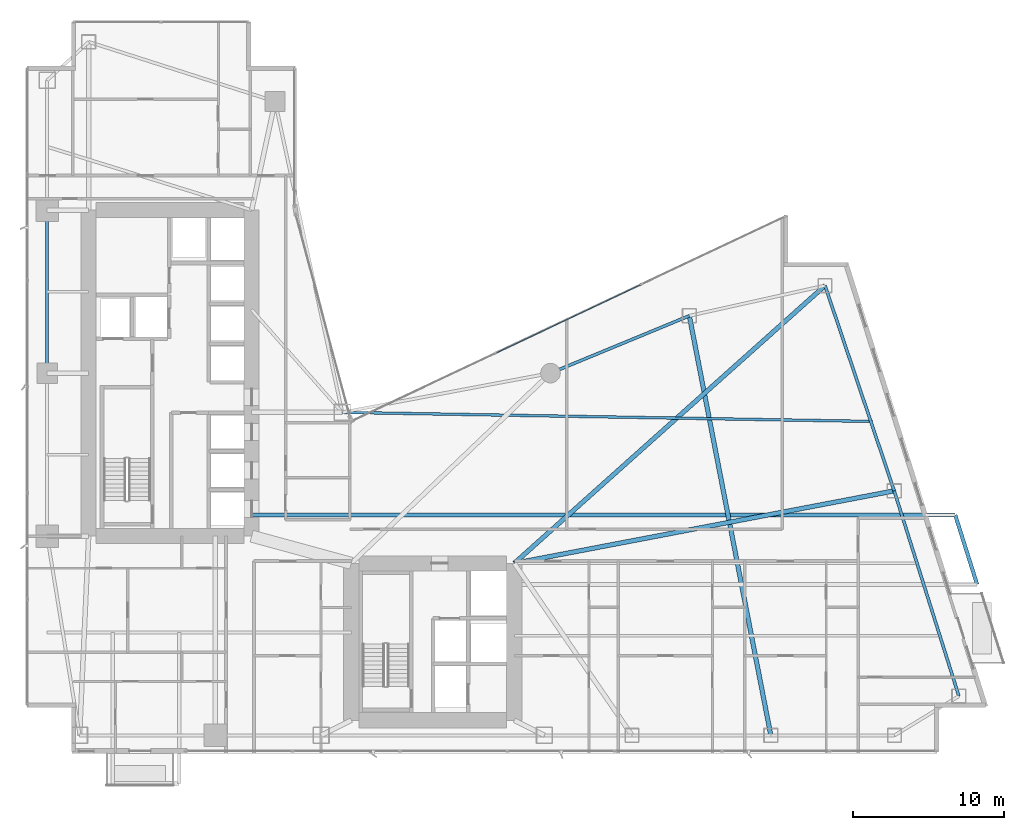
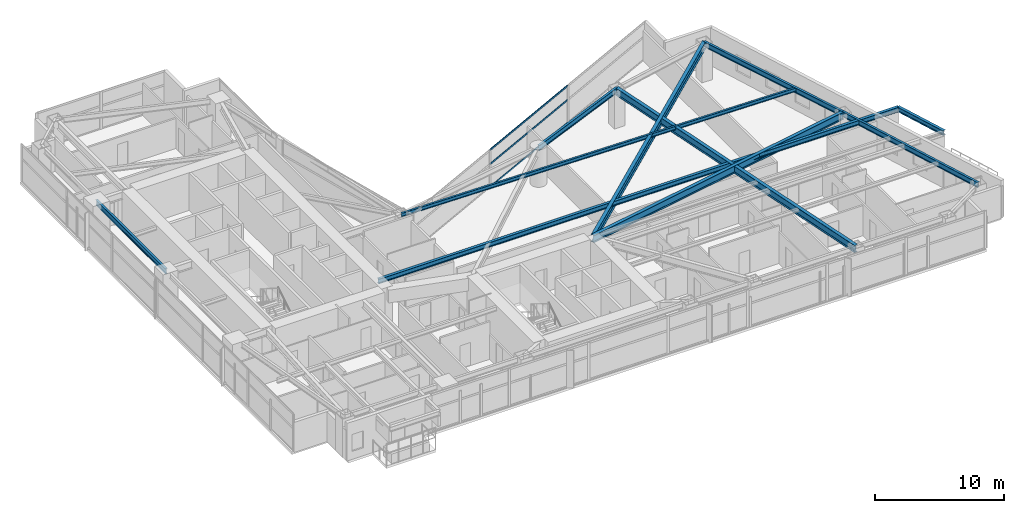
# One storey, part 15 of 30: 10 beams, 3 members, 1 element without a shape of its own.
"""IFC4 building model written with IfcOpenShell, lengths in metres."""

import ifcopenshell
import ifcopenshell.guid

model = None  # the IFC model being written
_history = None  # IfcOwnerHistory: only IFC2X3 demands one
_inside = {}  # id of a spatial element -> (the spatial element, [elements in it])
_under = {}  # id of a project, library or spatial element -> (it, [spatial elements below it])
_declared = {}  # id of a project -> (the project, [libraries it declares])
_typed = {}  # id of a type object -> (the type object, [elements of that type])
_made_of = {}  # id of a material, layer set ... -> (it, [elements and type objects made of it])


def new_model(schema):
    """Start an empty IFC model of exactly this schema.

    Asked for "IFC4X3", IfcOpenShell would pick the latest addendum, in which some entities
    have other attributes; the version numbers below select the first issue.
    IFC2X3 requires an IfcOwnerHistory on every rooted entity: one is made here for all.
    """
    global model, _history
    if schema == "IFC4X3":
        model = ifcopenshell.file(schema_version=(4, 3, 0, 0))
    else:
        model = ifcopenshell.file(schema=schema)
    _inside.clear()
    _under.clear()
    _declared.clear()
    _typed.clear()
    _made_of.clear()
    _history = None
    if model.schema == "IFC2X3":
        org = make("IfcOrganization", Name="unknown")
        user = make(
            "IfcPersonAndOrganization",
            ThePerson=make("IfcPerson", FamilyName="unknown"),
            TheOrganization=org,
        )
        app = make(
            "IfcApplication",
            ApplicationDeveloper=org,
            Version="unknown",
            ApplicationFullName="unknown",
            ApplicationIdentifier="unknown",
        )
        _history = make(
            "IfcOwnerHistory",
            OwningUser=user,
            OwningApplication=app,
            ChangeAction="ADDED",
            CreationDate=0,
        )
    return model


def make(cls, **values):
    """One entity of the class cls with the attributes given. An attribute that is None is left unset."""
    return model.create_entity(
        cls, **{name: value for name, value in values.items() if value is not None}
    )


def rooted(cls, **values):
    """An entity with a GlobalId (a new one), such as an element, a storey or a relation."""
    return make(cls, GlobalId=ifcopenshell.guid.new(), OwnerHistory=_history, **values)


def si_unit(unit_type, name, prefix=None):
    """IfcSIUnit, for example si_unit("LENGTHUNIT", "METRE", prefix="MILLI")."""
    return make("IfcSIUnit", UnitType=unit_type, Prefix=prefix, Name=name)


def assignment(units):
    """IfcUnitAssignment: the units of a project."""
    return None if units is None else make("IfcUnitAssignment", Units=units)


def point(xyz):
    """IfcCartesianPoint."""
    return None if xyz is None else make("IfcCartesianPoint", Coordinates=xyz)


def direction(xyz):
    """IfcDirection."""
    return None if xyz is None else make("IfcDirection", DirectionRatios=xyz)


def frame(location, z_axis=None, x_axis=None):
    """IfcAxis2Placement3D, a coordinate frame: its origin and axes. An axis left out is left unset."""
    return make(
        "IfcAxis2Placement3D",
        Location=point(location),
        Axis=direction(z_axis),
        RefDirection=direction(x_axis),
    )


def frame_2d(location, x_axis=None):
    """IfcAxis2Placement2D, a coordinate frame in the plane: its origin and x axis."""
    return make(
        "IfcAxis2Placement2D", Location=point(location), RefDirection=direction(x_axis)
    )


def origin():
    """The frame at (0, 0, 0) with its axes left unset."""
    return frame((0.0, 0.0, 0.0))


def origin_2d():
    """The frame at (0, 0) in the plane with its x axis left unset."""
    return frame_2d((0.0, 0.0))


def place(relative_to, where):
    """IfcLocalPlacement: puts the frame where relative to a parent placement (None: the world)."""
    return make(
        "IfcLocalPlacement", PlacementRelTo=relative_to, RelativePlacement=where
    )


def context(
    kind, dimensions, precision=None, world=None, true_north=None, identifier=None
):
    """IfcGeometricRepresentationContext, for example the 3D "Model" context."""
    return make(
        "IfcGeometricRepresentationContext",
        ContextIdentifier=identifier,
        ContextType=kind,
        CoordinateSpaceDimension=dimensions,
        Precision=precision,
        WorldCoordinateSystem=world,
        TrueNorth=true_north,
    )


def subcontext(parent, identifier, kind, view, scale=None):
    """IfcGeometricRepresentationSubContext, for example "Body" below "Model"."""
    return make(
        "IfcGeometricRepresentationSubContext",
        ContextIdentifier=identifier,
        ContextType=kind,
        ParentContext=parent,
        TargetScale=scale,
        TargetView=view,
    )


def project(units=None, contexts=None):
    """IfcProject with its units and contexts."""
    return rooted(
        "IfcProject",
        Name="project",
        RepresentationContexts=contexts,
        UnitsInContext=assignment(units),
    )


def spatial(cls, under=None, at=None, **own):
    """A site, building, storey or space (cls), placed at a placement, below another one or the project."""
    s = rooted(cls, ObjectPlacement=at, **own)
    if under is not None:
        _under.setdefault(under.id(), (under, []))[1].append(s)
    return s


def profile(cls, at=None, kind="AREA", **sizes):
    """A parametric profile (cls). Its sizes go by their IFC names, for example OverallWidth=200.0."""
    return make(cls, ProfileType=kind, Position=at, **sizes)


def hollow_rectangle(**sizes):
    """IfcRectangleHollowProfileDef."""
    return profile("IfcRectangleHollowProfileDef", **sizes)


def i_section(**sizes):
    """IfcIShapeProfileDef."""
    return profile("IfcIShapeProfileDef", **sizes)


def extrude(swept, where, along, depth):
    """IfcExtrudedAreaSolid: the profile swept, set in the frame where, extruded along a direction by depth."""
    return make(
        "IfcExtrudedAreaSolid",
        SweptArea=swept,
        Position=where,
        ExtrudedDirection=direction(along),
        Depth=depth,
    )


def shape(context_of_items, identifier, shape_type, items):
    """IfcShapeRepresentation: the items that make up one representation, for example the "Body"."""
    return make(
        "IfcShapeRepresentation",
        ContextOfItems=context_of_items,
        RepresentationIdentifier=identifier,
        RepresentationType=shape_type,
        Items=items,
    )


def material(Name=None, Category=None):
    """IfcMaterial."""
    return make("IfcMaterial", Name=Name, Category=Category)


def layer(
    of_material, thickness, ventilated=None, Name=None, Category=None, Priority=None
):
    """IfcMaterialLayer: one layer of a wall or slab, of a material (None: an air gap)."""
    return make(
        "IfcMaterialLayer",
        Material=of_material,
        LayerThickness=thickness,
        IsVentilated=ventilated,
        Name=Name,
        Category=Category,
        Priority=Priority,
    )


def layer_set(layers, Name=None):
    """IfcMaterialLayerSet."""
    return make("IfcMaterialLayerSet", MaterialLayers=layers, LayerSetName=Name)


def material_profile(
    of_material, cross_section, Name=None, Category=None, Priority=None
):
    """IfcMaterialProfile: a cross section and its material."""
    return make(
        "IfcMaterialProfile",
        Name=Name,
        Material=of_material,
        Profile=cross_section,
        Priority=Priority,
        Category=Category,
    )


def profile_set(profiles, Name=None, composite=None):
    """IfcMaterialProfileSet."""
    return make(
        "IfcMaterialProfileSet",
        Name=Name,
        MaterialProfiles=profiles,
        CompositeProfile=composite,
    )


def made_of(thing, what):
    """Note that an element or type object is made of a material, layer set ...; save() writes the relation."""
    if what is not None:
        _made_of.setdefault(what.id(), (what, []))[1].append(thing)
    return thing


def type_object(cls, material=None, **own):
    """A type object (cls), such as IfcWallType, which elements share."""
    return made_of(rooted(cls, **own), material)


def element(
    cls,
    number,
    at=None,
    inside=None,
    cuts=None,
    type_object=None,
    material=None,
    context=None,
    identifier="Body",
    shape_type=None,
    held_by="IfcProductDefinitionShape",
    body=None,
    shapes=None,
    **own,
):
    """One element of the class cls, such as IfcWall. Its Tag is "e" and its number.

    at: its placement. inside: the storey or other place that contains it. cuts: it is an
    opening in that element (IfcRelVoidsElement). A single representation is given by context,
    identifier, shape_type and body (its items); several are given by shapes. held_by: the class
    of the entity that holds the representations. save() writes the other relations.
    """
    e = rooted(cls, Tag="e%d" % number, ObjectPlacement=at, **own)
    if body is not None:
        shapes = [shape(context, identifier, shape_type, body)]
    if shapes is not None:
        e.Representation = make(held_by, Representations=shapes)
    if inside is not None:
        _inside.setdefault(inside.id(), (inside, []))[1].append(e)
    if cuts is not None:
        rooted(
            "IfcRelVoidsElement", RelatingBuildingElement=cuts, RelatedOpeningElement=e
        )
    if type_object is not None:
        _typed.setdefault(type_object.id(), (type_object, []))[1].append(e)
    return made_of(e, material)


def aggregate(whole, parts):
    """IfcRelAggregates: a whole, such as a stair, and the parts it consists of."""
    return rooted("IfcRelAggregates", RelatingObject=whole, RelatedObjects=parts)


def save(model, path):
    """Write the relations noted so far, then the file.

    IfcRelAggregates (storeys below a building ...), IfcRelContainedInSpatialStructure (elements
    in a storey), IfcRelDefinesByType, IfcRelAssociatesMaterial and IfcRelDeclares: one each for
    every whole, place, type object, material and project.
    """
    for whole, parts in _under.values():
        aggregate(whole, parts)
    for where, things in _inside.values():
        rooted(
            "IfcRelContainedInSpatialStructure",
            RelatedElements=things,
            RelatingStructure=where,
        )
    for kind, things in _typed.values():
        rooted("IfcRelDefinesByType", RelatedObjects=things, RelatingType=kind)
    for what, things in _made_of.values():
        rooted("IfcRelAssociatesMaterial", RelatedObjects=things, RelatingMaterial=what)
    for by, libraries in _declared.values():
        rooted("IfcRelDeclares", RelatingContext=by, RelatedDefinitions=libraries)
    model.write(path)


model = new_model("IFC4")

# Units and contexts
model_context = context("Model", 3, precision=1e-05, world=origin(), true_north=direction((0.0, 1.0)))
body_context = subcontext(model_context, "Body", "Model", "MODEL_VIEW")
ifc_project = project(units=[si_unit("LENGTHUNIT", "METRE"), si_unit("AREAUNIT", "SQUARE_METRE"), si_unit("VOLUMEUNIT", "CUBIC_METRE"), si_unit("PLANEANGLEUNIT", "RADIAN"), si_unit("MASSUNIT", "GRAM", prefix="KILO")], contexts=[model_context])

# Site, building, storey
site_placement = place(None, origin())
site = spatial("IfcSite", under=ifc_project, at=site_placement, CompositionType="ELEMENT")
building_placement = place(site_placement, origin())
building = spatial("IfcBuilding", under=site, at=building_placement, Name="Calvorn Quay Hotel", CompositionType="ELEMENT")
storey_placement = place(building_placement, frame((0.0, 0.0, 30.800048828125)))
storey = spatial("IfcBuildingStorey", under=building, at=storey_placement, Name="L06", CompositionType="ELEMENT", Elevation=30.800048828125)

# Beams
ifc_material_1 = material(Name="Steel Q355B", Category="steel")
ifc_material_profile_1 = material_profile(ifc_material_1, i_section(OverallWidth=0.25, OverallDepth=0.449951171875, WebThickness=0.011962890625, FlangeThickness=0.01611328125, FilletRadius=0.01611328125, at=origin_2d()), Name="HN450x250x12x16")
ifc_profile_set_1 = profile_set([ifc_material_profile_1], Name="Steel Q355B")
beam_type_1 = type_object("IfcBeamType", Name="BM-CANT-BALC", PredefinedType="BEAM", material=ifc_profile_set_1)
beam_1_placement = place(storey_placement, frame((15.0, 18.199951171875, 3.31494140625), z_axis=(1.0, 0.0, 0.0), x_axis=(0.0, 1.0, 0.0)))
element("IfcBeam", 1, at=beam_1_placement, inside=storey, type_object=beam_type_1, Name="Cantilever Balcony Beam BCB-L07-1B", PredefinedType="BEAM", context=body_context, shape_type="SweptSolid", body=[
    extrude(i_section(OverallWidth=0.25, OverallDepth=0.449951171875, WebThickness=0.011962890625, FlangeThickness=0.01611328125, FilletRadius=0.01611328125, at=origin_2d()), origin(), (0.0, 0.0, 1.0), 46.6201171875),
])
beam_2_placement = place(storey_placement, frame((63.069091796875, 13.60009765625, 3.31494140625), z_axis=(-0.300450487966, 0.953797412599, 0.0), x_axis=(-0.953797412599, -0.300450487966, 0.0)))
element("IfcBeam", 2, at=beam_2_placement, inside=storey, type_object=beam_type_1, Name="Beam BCBO-L07-1", PredefinedType="BEAM", context=body_context, shape_type="SweptSolid", body=[
    extrude(i_section(OverallWidth=0.25, OverallDepth=0.449951171875, WebThickness=0.011962890625, FlangeThickness=0.01611328125, FilletRadius=0.01611328125, at=origin_2d()), origin(), (0.0, 0.0, 1.0), 4.82275390625),
])
ifc_material_2 = material(Name="Steel Q390GJC", Category="steel")
ifc_material_profile_2 = material_profile(ifc_material_2, i_section(OverallWidth=0.300048828125, OverallDepth=0.699951171875, WebThickness=0.012939453125, FlangeThickness=0.02392578125, FilletRadius=0.02392578125, at=origin_2d()), Name="HN700x300x13x24")
ifc_profile_set_2 = profile_set([ifc_material_profile_2], Name="Steel Q390GJC")
beam_type_2 = type_object("IfcBeamType", Name="BM-GIRD-MAIN", PredefinedType="BEAM", material=ifc_profile_set_2)
beam_3_placement = place(storey_placement, frame((32.39990234375, 15.0, 3.18994140625), z_axis=(0.982305450614, 0.18728588226, 0.0), x_axis=(-0.18728588226, 0.982305450614, 0.0)))
element("IfcBeam", 3, at=beam_3_placement, inside=storey, type_object=beam_type_2, Name="Beam BG-L06-E2", PredefinedType="BEAM", context=body_context, shape_type="SweptSolid", body=[
    extrude(i_section(OverallWidth=0.300048828125, OverallDepth=0.699951171875, WebThickness=0.012939453125, FlangeThickness=0.02392578125, FilletRadius=0.02392578125, at=origin_2d()), origin(), (0.0, 0.0, 1.0), 25.629638671875),
])
beam_4_placement = place(storey_placement, frame((32.39990234375, 15.0, 3.18994140625), z_axis=(0.745667316004, 0.666318432766, 0.0), x_axis=(-0.666318432766, 0.745667316004, 0.0)))
element("IfcBeam", 4, at=beam_4_placement, inside=storey, type_object=beam_type_2, Name="Beam BG-L06-E3", PredefinedType="BEAM", context=body_context, shape_type="SweptSolid", body=[
    extrude(i_section(OverallWidth=0.300048828125, OverallDepth=0.699951171875, WebThickness=0.012939453125, FlangeThickness=0.02392578125, FilletRadius=0.02392578125, at=origin_2d()), origin(), (0.0, 0.0, 1.0), 27.6142578125),
])
beam_5_placement = place(storey_placement, frame((49.39990234375, 3.60009765625, 3.18994140625), z_axis=(-0.190678596862, 0.981652521363, 0.0), x_axis=(-0.981652521363, -0.190678596862, 0.0)))
element("IfcBeam", 5, at=beam_5_placement, inside=storey, type_object=beam_type_2, Name="Beam BG-L06-E5", PredefinedType="BEAM", context=body_context, shape_type="SweptSolid", body=[
    extrude(i_section(OverallWidth=0.300048828125, OverallDepth=0.699951171875, WebThickness=0.012939453125, FlangeThickness=0.02392578125, FilletRadius=0.02392578125, at=origin_2d()), origin(), (0.0, 0.0, 1.0), 28.3193359375),
])
ifc_material_3 = material(Name="Steel Q355B", Category="steel")
ifc_material_profile_3 = material_profile(ifc_material_3, i_section(OverallWidth=0.175048828125, OverallDepth=0.35009765625, WebThickness=0.007080078125, FlangeThickness=0.010986328125, FilletRadius=0.013916015625, at=origin_2d()), Name="HN350x175x7x11")
ifc_profile_set_3 = profile_set([ifc_material_profile_3], Name="Steel Q355B")
beam_type_3 = type_object("IfcBeamType", Name="BM-JOIST-SEC", PredefinedType="JOIST", material=ifc_profile_set_3)
beam_6_placement = place(storey_placement, frame((21.0, 25.0, 3.364990234375), z_axis=(0.999854105858, -0.017081188436, 0.0), x_axis=(0.017081188436, 0.999854105858, 0.0)))
element("IfcBeam", 6, at=beam_6_placement, inside=storey, type_object=beam_type_3, Name="Beam BJ-L06-E3", PredefinedType="JOIST", context=body_context, shape_type="SweptSolid", body=[
    extrude(i_section(OverallWidth=0.175048828125, OverallDepth=0.35009765625, WebThickness=0.007080078125, FlangeThickness=0.010986328125, FilletRadius=0.013916015625, at=origin_2d()), origin(), (0.0, 0.0, 1.0), 35.132080078125),
])
ifc_material_4 = material(Name="Steel Q355B", Category="steel")
ifc_material_profile_4 = material_profile(ifc_material_4, i_section(OverallWidth=0.199951171875, OverallDepth=0.5, WebThickness=0.010009765625, FlangeThickness=0.01611328125, FilletRadius=0.01611328125, at=origin_2d()), Name="HN500x200x10x16")
ifc_profile_set_4 = profile_set([ifc_material_profile_4], Name="Steel Q355B")
beam_type_4 = type_object("IfcBeamType", Name="BM-SPANDREL-Z1", PredefinedType="SPANDREL", material=ifc_profile_set_4)
beam_7_placement = place(storey_placement, frame((1.449951171875, 27.60009765625, 3.2900390625), z_axis=(0.0, 1.0, 0.0), x_axis=(-1.0, 0.0, 0.0)))
element("IfcBeam", 7, at=beam_7_placement, inside=storey, type_object=beam_type_4, Name="Beam BSP-L06-W3", PredefinedType="SPANDREL", context=body_context, shape_type="SweptSolid", body=[
    extrude(i_section(OverallWidth=0.199951171875, OverallDepth=0.5, WebThickness=0.010009765625, FlangeThickness=0.01611328125, FilletRadius=0.01611328125, at=origin_2d()), origin(), (0.0, 0.0, 1.0), 10.7998046875),
])
beam_8_placement = place(storey_placement, frame((61.861083984375, 6.199951171875, 3.2900390625), z_axis=(-0.300518378216, 0.953776024208, 0.0), x_axis=(-0.953776024208, -0.300518378216, 0.0)))
element("IfcBeam", 8, at=beam_8_placement, inside=storey, type_object=beam_type_4, Name="Beam BSP-L06-E1", PredefinedType="SPANDREL", context=body_context, shape_type="SweptSolid", body=[
    extrude(i_section(OverallWidth=0.199951171875, OverallDepth=0.5, WebThickness=0.010009765625, FlangeThickness=0.01611328125, FilletRadius=0.01611328125, at=origin_2d()), origin(), (0.0, 0.0, 1.0), 14.25927734375),
])
beam_9_placement = place(storey_placement, frame((57.575927734375, 19.800048828125, 3.2900390625), z_axis=(-0.319466515944, 0.947597564998, 0.0), x_axis=(-0.947597564998, -0.319466515944, 0.0)))
element("IfcBeam", 9, at=beam_9_placement, inside=storey, type_object=beam_type_4, Name="Beam BSP-L06-E2", PredefinedType="SPANDREL", context=body_context, shape_type="SweptSolid", body=[
    extrude(i_section(OverallWidth=0.199951171875, OverallDepth=0.5, WebThickness=0.010009765625, FlangeThickness=0.01611328125, FilletRadius=0.01611328125, at=origin_2d()), origin(), (0.0, 0.0, 1.0), 14.35205078125),
])
beam_10_placement = place(storey_placement, frame((44.0, 31.39990234375, 3.2900390625), z_axis=(-0.92426763497, -0.381745123017, 0.0), x_axis=(0.381745123017, -0.92426763497, 0.0)))
element("IfcBeam", 10, at=beam_10_placement, inside=storey, type_object=beam_type_4, Name="Beam BSP-L06-E4", PredefinedType="SPANDREL", context=body_context, shape_type="SweptSolid", body=[
    extrude(i_section(OverallWidth=0.199951171875, OverallDepth=0.5, WebThickness=0.010009765625, FlangeThickness=0.01611328125, FilletRadius=0.01611328125, at=origin_2d()), origin(), (0.0, 0.0, 1.0), 9.953857421875),
])

# Curtain wall, members
ifc_material_5 = material(Name="Pale Anodised Aluminium and Low-E Glass", Category="aluminium")
ifc_layer = layer(ifc_material_5, 0.219970703125)
ifc_layer_set = layer_set([ifc_layer], Name="CW-SYS-Z1")
curtain_wall_type = type_object("IfcCurtainWallType", Name="CW-SYS-Z1", PredefinedType="NOTDEFINED", material=ifc_layer_set)
curtain_wall_placement = place(storey_placement, origin())
curtain_wall = element("IfcCurtainWall", 11, at=curtain_wall_placement, inside=storey, type_object=curtain_wall_type, Name="Inner Court Curtain Wall L06-NE1", PredefinedType="NOTDEFINED")
ifc_material_6 = material(Name="Pale Anodised Aluminium 6063-T6", Category="aluminium")
ifc_material_profile_5 = material_profile(ifc_material_6, hollow_rectangle(XDim=0.06494140625, YDim=0.1650390625, WallThickness=0.00341796875, at=origin_2d()), Name="ALU-T165x65x3.5")
ifc_profile_set_5 = profile_set([ifc_material_profile_5], Name="Pale Anodised Aluminium 6063-T6")
member_type = type_object("IfcMemberType", Name="CW-SYS-Z1-TRN", PredefinedType="USERDEFINED", material=ifc_profile_set_5)
member_1_placement = place(storey_placement, frame((40.77294921875, 33.453857421875, 0.030029296875), z_axis=(-0.904247654564, -0.427008406493, 0.0), x_axis=(0.427008406493, -0.904247654564, 0.0)))
member_1 = element("IfcMember", 12, at=member_1_placement, type_object=member_type, Name="CW-L06-NE1 transom 2.1", ObjectType="TRANSOM", PredefinedType="USERDEFINED", context=body_context, shape_type="SweptSolid", body=[
    extrude(hollow_rectangle(XDim=0.06494140625, YDim=0.1650390625, WallThickness=0.00341796875, at=origin_2d()), origin(), (0.0, 0.0, 1.0), 10.556640625),
])
member_2_placement = place(storey_placement, frame((40.77294921875, 33.453857421875, 2.199951171875), z_axis=(-0.904247654564, -0.427008406493, 0.0), x_axis=(0.427008406493, -0.904247654564, 0.0)))
member_2 = element("IfcMember", 13, at=member_2_placement, type_object=member_type, Name="CW-L06-NE1 transom 2.2", ObjectType="TRANSOM", PredefinedType="USERDEFINED", context=body_context, shape_type="SweptSolid", body=[
    extrude(hollow_rectangle(XDim=0.06494140625, YDim=0.1650390625, WallThickness=0.00341796875, at=origin_2d()), origin(), (0.0, 0.0, 1.0), 10.556640625),
])
member_3_placement = place(storey_placement, frame((40.77294921875, 33.453857421875, 3.530029296875), z_axis=(-0.904247654564, -0.427008406493, 0.0), x_axis=(0.427008406493, -0.904247654564, 0.0)))
member_3 = element("IfcMember", 14, at=member_3_placement, type_object=member_type, Name="CW-L06-NE1 transom 2.3", ObjectType="TRANSOM", PredefinedType="USERDEFINED", context=body_context, shape_type="SweptSolid", body=[
    extrude(hollow_rectangle(XDim=0.06494140625, YDim=0.1650390625, WallThickness=0.00341796875, at=origin_2d()), origin(), (0.0, 0.0, 1.0), 10.556640625),
])
aggregate(curtain_wall, [member_1, member_2, member_3])

save(model, "model.ifc")
